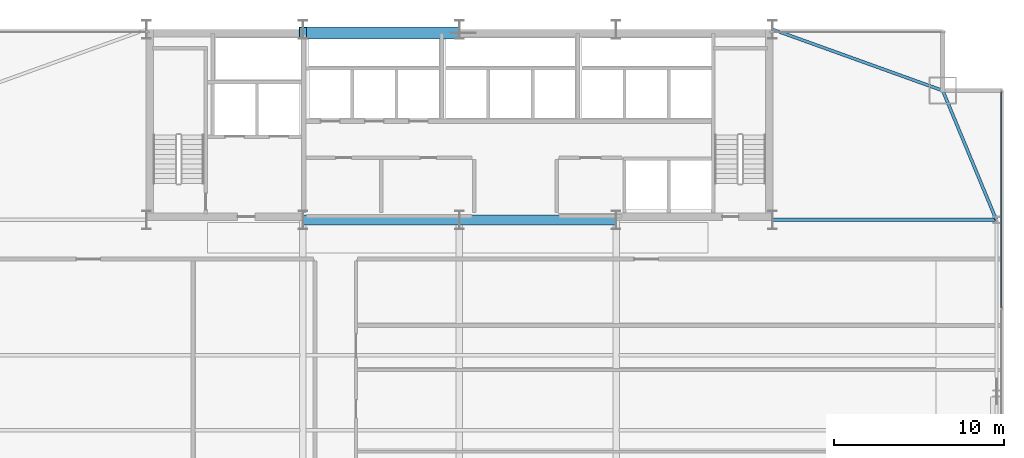
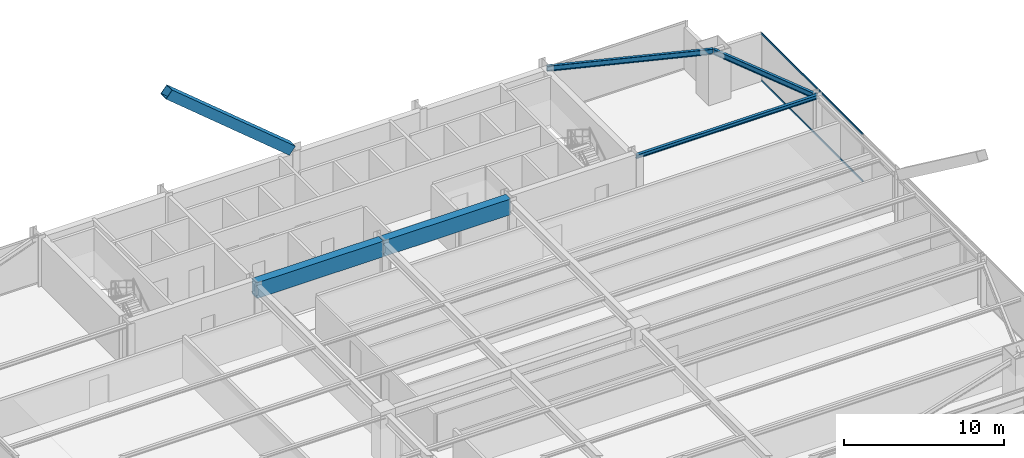
# One storey, part 23 of 35: 5 beams, 3 members, 1 element without a shape of its own.
"""IFC4 building model written with IfcOpenShell, lengths in metres."""

from ifc_helpers import new_model, si_unit, direction, frame, origin, origin_2d, place, context, subcontext, project, spatial, rectangle, hollow_rectangle, i_section, extrude, source, transform, mapped, material, layer, layer_set, material_profile, profile_set, type_object, type_shapes, element, aggregate, save


model = new_model("IFC4")

# Units and contexts
model_context = context("Model", 3, precision=1e-05, world=origin(), true_north=direction((0.0, 1.0)))
body_context = subcontext(model_context, "Body", "Model", "MODEL_VIEW")
ifc_project = project(units=[si_unit("LENGTHUNIT", "METRE"), si_unit("AREAUNIT", "SQUARE_METRE"), si_unit("VOLUMEUNIT", "CUBIC_METRE"), si_unit("PLANEANGLEUNIT", "RADIAN"), si_unit("MASSUNIT", "GRAM", prefix="KILO")], contexts=[model_context])

# Site, building, storey
site_placement = place(None, origin())
site = spatial("IfcSite", under=ifc_project, at=site_placement, CompositionType="ELEMENT")
building_placement = place(site_placement, origin())
building = spatial("IfcBuilding", under=site, at=building_placement, Name="Varnel Quay Broadcast Tower", CompositionType="ELEMENT")
storey_placement = place(building_placement, frame((0.0, 0.0, 31.5)))
storey = spatial("IfcBuildingStorey", under=building, at=storey_placement, Name="L06", CompositionType="ELEMENT", Elevation=31.5)

# Beams
ifc_material_1 = material(Name="Structural Steel CSA G40.21 350W", Category="steel")
ifc_material_profile_1 = material_profile(ifc_material_1, i_section(OverallWidth=0.180908203125, OverallDepth=0.4169921875, WebThickness=0.010986328125, FlangeThickness=0.018310546875, FilletRadius=0.011962890625, at=origin_2d()), Name="W410X85")
ifc_profile_set_1 = profile_set([ifc_material_profile_1], Name="Structural Steel CSA G40.21 350W")
beam_type_1 = type_object("IfcBeamType", Name="Beam_W410X85", PredefinedType="SPANDREL", material=ifc_profile_set_1)
shared_shape_1 = source(origin(), body_context, "Body", "SweptSolid", [
    extrude(i_section(OverallWidth=0.180908203125, OverallDepth=0.4169921875, WebThickness=0.010986328125, FlangeThickness=0.018310546875, FilletRadius=0.011962890625, at=origin_2d()), origin(), (0.0, 0.0, 1.0), 8.186767578125),
])
beam_1_placement = place(storey_placement, frame((65.542236328125, 35.618408203125, 3.44140625), z_axis=(-0.382874132092, 0.923800519038, 0.0), x_axis=(-0.923800519038, -0.382874132092, 0.0)))
element("IfcBeam", 1, at=beam_1_placement, inside=storey, type_object=beam_type_1, Name="L06 East Spandrel TC-E3-MC-NE", PredefinedType="SPANDREL", context=body_context, shape_type="MappedRepresentation", body=[
    mapped(shared_shape_1, transform((0.0, 0.0, 0.0), x_axis=(1.0, 0.0, 0.0), y_axis=(0.0, 1.0, 0.0), z_axis=(0.0, 0.0, 1.0), scale=1.0)),
])
shared_shape_2 = source(origin(), body_context, "Body", "SweptSolid", [
    extrude(i_section(OverallWidth=0.180908203125, OverallDepth=0.4169921875, WebThickness=0.010986328125, FlangeThickness=0.018310546875, FilletRadius=0.011962890625, at=origin_2d()), origin(), (0.0, 0.0, 1.0), 10.58837890625),
])
type_shapes(beam_type_1, [shared_shape_1, shared_shape_2])
beam_2_placement = place(storey_placement, frame((52.418701171875, 46.793212890625, 3.44140625), z_axis=(0.940888587605, -0.338716202321, 0.0), x_axis=(0.338716202321, 0.940888587605, 0.0)))
element("IfcBeam", 2, at=beam_2_placement, inside=storey, type_object=beam_type_1, Name="L06 NE Tie Spandrel", PredefinedType="SPANDREL", context=body_context, shape_type="MappedRepresentation", body=[
    mapped(shared_shape_2, transform((0.0, 0.0, 0.0), x_axis=(1.0, 0.0, 0.0), y_axis=(0.0, 1.0, 0.0), z_axis=(0.0, 0.0, 1.0), scale=1.0)),
])
ifc_material_2 = material(Name="Concrete CSA A23.3 C60/75", Category="concrete")
ifc_material_profile_2 = material_profile(ifc_material_2, rectangle(XDim=0.60009765625, YDim=1.199951171875, at=origin_2d()), Name="RC600X1200")
ifc_profile_set_2 = profile_set([ifc_material_profile_2], Name="Concrete CSA A23.3 C60/75")
beam_type_2 = type_object("IfcBeamType", Name="Beam_RC600X1200", PredefinedType="BEAM", material=ifc_profile_set_2)
shared_shape_3 = source(origin(), body_context, "Body", "SweptSolid", [
    extrude(rectangle(XDim=0.60009765625, YDim=1.199951171875, at=origin_2d()), origin(), (0.0, 0.0, 1.0), 9.159912109375),
])
type_shapes(beam_type_2, [shared_shape_3])
for number, where, z_axis, x_axis, name in (
    (3, (24.820068359375, 35.60009765625, 3.050048828125), (1.0, 0.0, 0.0), (0.0, 1.0, 0.0), "L06 Core Coupling Beam W"),
    (4, (34.02001953125, 35.60009765625, 3.050048828125), (1.0, 0.0, 0.0), (0.0, 1.0, 0.0), "L06 Core Coupling Beam E"),
):
    element("IfcBeam", number, at=place(storey_placement, frame(where, z_axis=z_axis, x_axis=x_axis)), inside=storey, type_object=beam_type_2, Name=name, PredefinedType="BEAM", context=body_context, shape_type="MappedRepresentation", body=[
        mapped(shared_shape_3, transform((0.0, 0.0, 0.0), x_axis=(1.0, 0.0, 0.0), y_axis=(0.0, 1.0, 0.0), z_axis=(0.0, 0.0, 1.0), scale=1.0)),
    ])
ifc_material_profile_3 = material_profile(ifc_material_1, i_section(OverallWidth=0.202880859375, OverallDepth=0.302978515625, WebThickness=0.007568359375, FlangeThickness=0.01318359375, FilletRadius=0.011962890625, at=origin_2d()), Name="W310X60")
ifc_profile_set_3 = profile_set([ifc_material_profile_3], Name="Structural Steel CSA G40.21 350W")
beam_type_3 = type_object("IfcBeamType", Name="Beam_W310X60", PredefinedType="JOIST", material=ifc_profile_set_3)
shared_shape_4 = source(origin(), body_context, "Body", "SweptSolid", [
    extrude(i_section(OverallWidth=0.202880859375, OverallDepth=0.302978515625, WebThickness=0.007568359375, FlangeThickness=0.01318359375, FilletRadius=0.011962890625, at=origin_2d()), origin(), (0.0, 0.0, 1.0), 13.110107421875),
])
type_shapes(beam_type_3, [shared_shape_4])
beam_3_placement = place(storey_placement, frame((52.419921875, 35.60009765625, 3.49853515625), z_axis=(1.0, 0.0, 0.0), x_axis=(0.0, 1.0, 0.0)))
element("IfcBeam", 5, at=beam_3_placement, inside=storey, type_object=beam_type_3, Name="L06 East Core Tie Joist", PredefinedType="JOIST", context=body_context, shape_type="MappedRepresentation", body=[
    mapped(shared_shape_4, transform((0.0, 0.0, 0.0), x_axis=(1.0, 0.0, 0.0), y_axis=(0.0, 1.0, 0.0), z_axis=(0.0, 0.0, 1.0), scale=1.0)),
])

# Member
ifc_material_3 = material(Name="Structural Steel CSA G40.21 350WT", Category="steel")
ifc_material_profile_4 = material_profile(ifc_material_3, hollow_rectangle(XDim=0.699951171875, YDim=0.699951171875, WallThickness=0.031982421875, at=origin_2d()), Name="BOX700X700X32")
ifc_profile_set_4 = profile_set([ifc_material_profile_4], Name="Structural Steel CSA G40.21 350WT")
member_type_1 = type_object("IfcMemberType", Name="Brace_BOX700X700X32", PredefinedType="BRACE", material=ifc_profile_set_4)
shared_shape_5 = source(origin(), body_context, "Body", "SweptSolid", [
    extrude(hollow_rectangle(XDim=0.699951171875, YDim=0.699951171875, WallThickness=0.031982421875, at=origin_2d()), origin(), (0.0, 0.0, 1.0), 11.58740234375),
])
type_shapes(member_type_1, [shared_shape_5])
member_1_placement = place(storey_placement, frame((33.707275390625, 46.580078125, 4.0185546875), z_axis=(-0.768701172799, 0.0, 0.63960808855), x_axis=(0.0, -1.0, 0.0)))
element("IfcMember", 6, at=member_1_placement, inside=storey, type_object=member_type_1, Name="Zone 1 Mega-Brace N-CT1 Split Diag B2", PredefinedType="BRACE", context=body_context, shape_type="MappedRepresentation", body=[
    mapped(shared_shape_5, transform((0.0, 0.0, 0.0), x_axis=(1.0, 0.0, 0.0), y_axis=(0.0, 1.0, 0.0), z_axis=(0.0, 0.0, 1.0), scale=1.0)),
])

# Curtain wall, members
ifc_material_4 = material(Name="Anodised Bronze Aluminium 6063-T6", Category="aluminium")
ifc_layer = layer(ifc_material_4, 0.18994140625, Name="Anodised Bronze Aluminium 6063-T6")
ifc_layer_set = layer_set([ifc_layer], Name="Anodised Bronze Aluminium 6063-T6")
curtain_wall_type = type_object("IfcCurtainWallType", Name="CW_LowerTower", PredefinedType="NOTDEFINED", material=ifc_layer_set)
curtain_wall_placement = place(storey_placement, origin())
curtain_wall = element("IfcCurtainWall", 7, at=curtain_wall_placement, inside=storey, type_object=curtain_wall_type, Name="L06 East Unitised Curtain Wall", PredefinedType="NOTDEFINED")
ifc_material_profile_5 = material_profile(ifc_material_4, hollow_rectangle(XDim=0.06005859375, YDim=0.14501953125, WallThickness=0.00341796875, at=origin_2d()), Name="ALU60X145X3.5")
ifc_profile_set_5 = profile_set([ifc_material_profile_5], Name="Anodised Bronze Aluminium 6063-T6")
member_type_2 = type_object("IfcMemberType", Name="Tran_CWS-02", PredefinedType="USERDEFINED", material=ifc_profile_set_5)
shared_shape_6 = source(origin(), body_context, "Body", "SweptSolid", [
    extrude(hollow_rectangle(XDim=0.06005859375, YDim=0.14501953125, WallThickness=0.00341796875, at=origin_2d()), origin(), (0.0, 0.0, 1.0), 12.69482421875),
])
type_shapes(member_type_2, [shared_shape_6])
member_2_placement = place(storey_placement, frame((65.85009765625, 30.43505859375, 0.030029296875), z_axis=(0.0, 1.0, 0.0), x_axis=(-1.0, 0.0, 0.0)))
member_2 = element("IfcMember", 8, at=member_2_placement, type_object=member_type_2, Name="CWS-02 transom 3.1", ObjectType="TRANSOM", PredefinedType="USERDEFINED", context=body_context, shape_type="MappedRepresentation", body=[
    mapped(shared_shape_6, transform((0.0, 0.0, 0.0), x_axis=(1.0, 0.0, 0.0), y_axis=(0.0, 1.0, 0.0), z_axis=(0.0, 0.0, 1.0), scale=1.0)),
])
member_3_placement = place(storey_placement, frame((65.85009765625, 30.43505859375, 3.6201171875), z_axis=(0.0, 1.0, 0.0), x_axis=(-1.0, 0.0, 0.0)))
member_3 = element("IfcMember", 9, at=member_3_placement, type_object=member_type_2, Name="CWS-02 transom 3.2", ObjectType="TRANSOM", PredefinedType="USERDEFINED", context=body_context, shape_type="MappedRepresentation", body=[
    mapped(shared_shape_6, transform((0.0, 0.0, 0.0), x_axis=(1.0, 0.0, 0.0), y_axis=(0.0, 1.0, 0.0), z_axis=(0.0, 0.0, 1.0), scale=1.0)),
])
aggregate(curtain_wall, [member_2, member_3])

save(model, "model.ifc")
